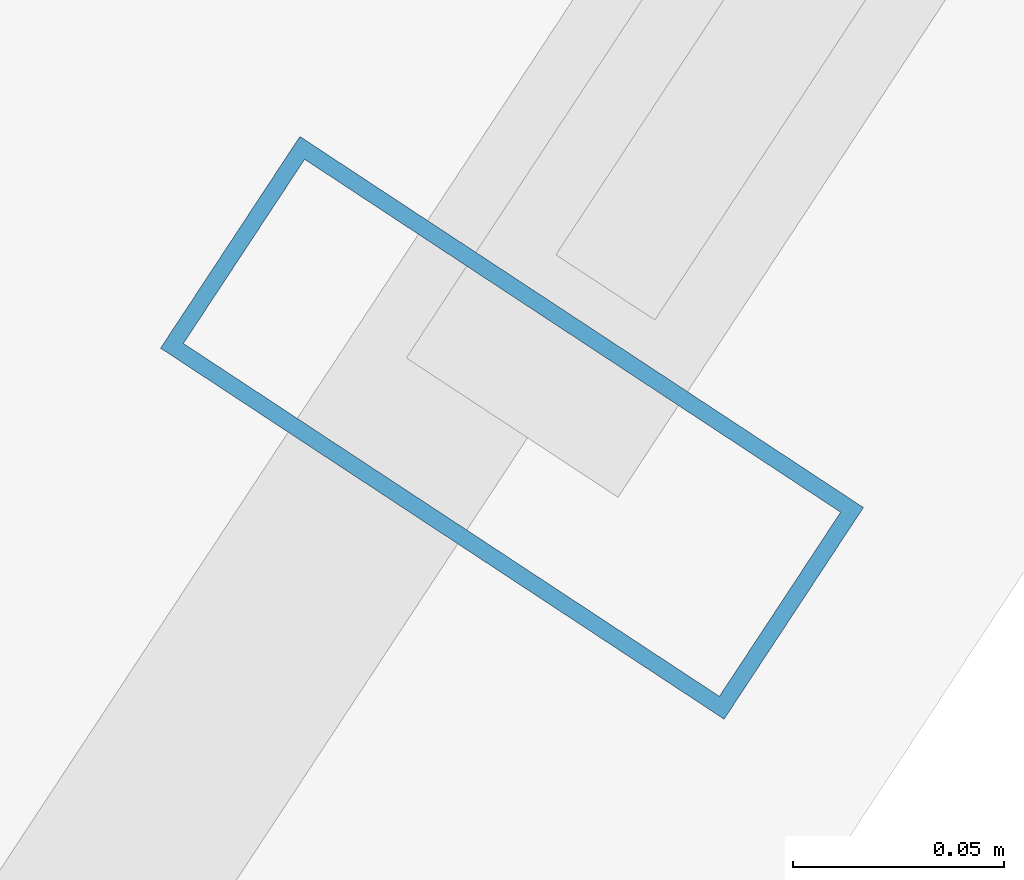
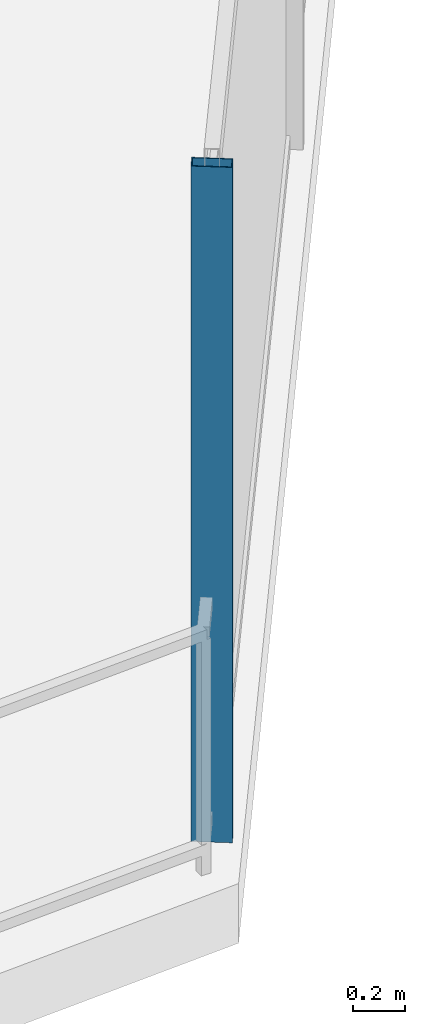
# One storey, part 5 of 28: 1 member, 1 element without a shape of its own.
"""IFC4 building model written with IfcOpenShell, lengths in metres."""

from ifc_helpers import new_model, si_unit, direction, frame, origin, origin_2d, place, context, subcontext, project, spatial, hollow_rectangle, extrude, material, layer, layer_set, material_profile, profile_set, type_object, element, aggregate, save


model = new_model("IFC4")

# Units and contexts
model_context = context("Model", 3, precision=1e-05, world=origin(), true_north=direction((0.0, 1.0)))
body_context = subcontext(model_context, "Body", "Model", "MODEL_VIEW")
ifc_project = project(units=[si_unit("LENGTHUNIT", "METRE"), si_unit("AREAUNIT", "SQUARE_METRE"), si_unit("VOLUMEUNIT", "CUBIC_METRE"), si_unit("PLANEANGLEUNIT", "RADIAN"), si_unit("MASSUNIT", "GRAM", prefix="KILO")], contexts=[model_context])

# Site, building, storey
site_placement = place(None, origin())
site = spatial("IfcSite", under=ifc_project, at=site_placement, CompositionType="ELEMENT")
building_placement = place(site_placement, origin())
building = spatial("IfcBuilding", under=site, at=building_placement, Name="Qarnah Convention Tower", CompositionType="ELEMENT")
storey_placement = place(building_placement, frame((0.0, 0.0, 54.60009765625)))
storey = spatial("IfcBuildingStorey", under=building, at=storey_placement, Name="L13", CompositionType="ELEMENT", Elevation=54.60009765625)

# Curtain wall, member
ifc_material_1 = material(Name="Tempered Low-E dark glass", Category="glass")
ifc_layer = layer(ifc_material_1, 0.16796875)
ifc_layer_set = layer_set([ifc_layer], Name="Tempered Low-E dark glass")
curtain_wall_type = type_object("IfcCurtainWallType", Name="CWS-01", PredefinedType="NOTDEFINED", material=ifc_layer_set)
curtain_wall_placement = place(storey_placement, origin())
curtain_wall = element("IfcCurtainWall", 1, at=curtain_wall_placement, inside=storey, type_object=curtain_wall_type, Name="L13 unitised curtain wall CW-L13-F4", PredefinedType="NOTDEFINED")
ifc_material_2 = material(Name="Black anodised aluminium", Category="aluminium")
ifc_material_profile = material_profile(ifc_material_2, hollow_rectangle(XDim=0.06005859375, YDim=0.159912109375, WallThickness=0.00390625, at=origin_2d()), Name="MUL-60X160")
ifc_profile_set = profile_set([ifc_material_profile], Name="Black anodised aluminium")
member_type = type_object("IfcMemberType", Name="MUL-T1", PredefinedType="MULLION", material=ifc_profile_set)
member_placement = place(storey_placement, frame((44.39892578125, 1.0791015625, 0.0), z_axis=(0.0, 0.0, 1.0), x_axis=(-0.549879652203, -0.835243897369, 0.0)))
member = element("IfcMember", 2, at=member_placement, type_object=member_type, Name="CW-L13-F4 mullion 4", PredefinedType="MULLION", context=body_context, shape_type="SweptSolid", body=[
    extrude(hollow_rectangle(XDim=0.06005859375, YDim=0.159912109375, WallThickness=0.00390625, at=origin_2d()), origin(), (0.0, 0.0, 1.0), 3.169921875),
])
aggregate(curtain_wall, [member])

save(model, "model.ifc")
